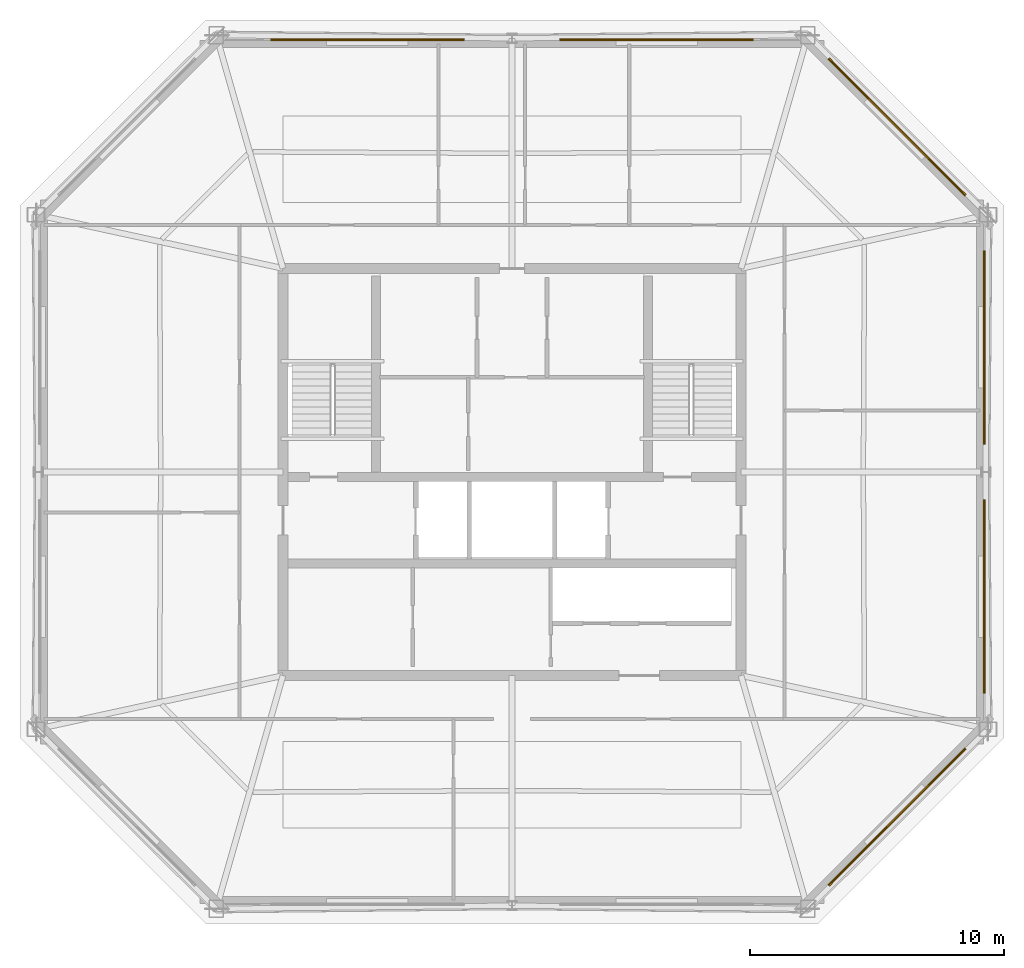
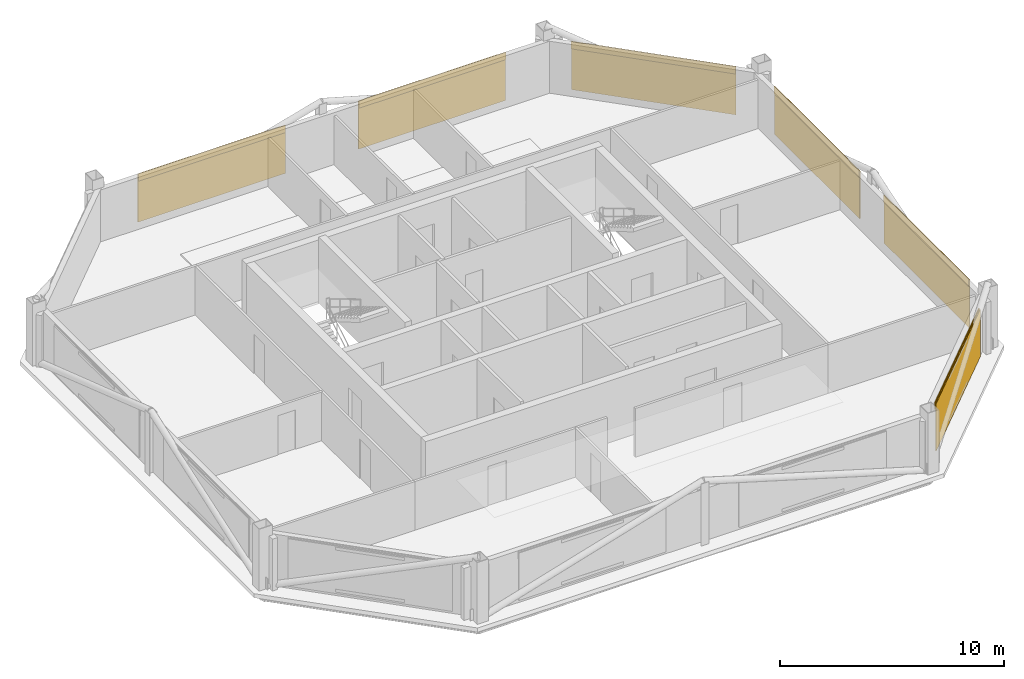
# One storey, part 6 of 6: 6 coverings, 6 shading devices.
"""IFC4 building model written with IfcOpenShell, lengths in metres."""

from ifc_helpers import new_model, si_unit, direction, frame, origin, origin_2d, place, context, subcontext, project, spatial, rectangle, extrude, material, layer, layer_set, type_object, element, save


model = new_model("IFC4")

# Units and contexts
model_context = context("Model", 3, precision=1e-05, world=origin(), true_north=direction((0.0, 1.0)))
body_context = subcontext(model_context, "Body", "Model", "MODEL_VIEW")
ifc_project = project(units=[si_unit("LENGTHUNIT", "METRE"), si_unit("AREAUNIT", "SQUARE_METRE"), si_unit("VOLUMEUNIT", "CUBIC_METRE"), si_unit("PLANEANGLEUNIT", "RADIAN"), si_unit("MASSUNIT", "GRAM", prefix="KILO")], contexts=[model_context])

# Site, building, storey
site_placement = place(None, origin())
site = spatial("IfcSite", under=ifc_project, at=site_placement, CompositionType="ELEMENT")
building_placement = place(site_placement, origin())
building = spatial("IfcBuilding", under=site, at=building_placement, Name="Caelvoria Tower", CompositionType="ELEMENT")
storey_placement = place(building_placement, frame((0.0, 0.0, 250.199951171875)))
storey = spatial("IfcBuildingStorey", under=building, at=storey_placement, Name="L66", CompositionType="ELEMENT", Elevation=250.199951171875)

# Coverings
ifc_material_1 = material(Name="Perforated Architectural Bronze Cladding Screen", Category="bronze")
ifc_layer_1 = layer(ifc_material_1, 0.0400390625, Name="Perforated Architectural Bronze Cladding Screen")
ifc_layer_set_1 = layer_set([ifc_layer_1], Name="Perforated Bronze Louvre Cladding Band 40 - Perforated Architectural Bronze Cladding Screen")
covering_type = type_object("IfcCoveringType", Name="Perforated Bronze Louvre Cladding Band 40", PredefinedType="CLADDING", material=ifc_layer_set_1)
for number, where, z_axis, x_axis, name in (
    (1, (61.119384765625, 18.45361328125, 2.412109375), (0.0, 0.0, 1.0), (0.707106781187, 0.707106781187, 0.0), "Perforated Bronze Screen Band L66-E1-00"),
    (2, (64.541015625, 27.102783203125, 2.412109375), (0.0, 0.0, 1.0), (0.0, 1.0, 0.0), "Perforated Bronze Screen Band L66-E2-00"),
    (3, (64.541015625, 36.897216796875, 2.412109375), (0.0, 0.0, 1.0), (0.0, 1.0, 0.0), "Perforated Bronze Screen Band L66-E2-01"),
    (4, (61.119384765625, 45.54638671875, 2.412109375), (0.0, 0.0, 1.0), (-0.707106781187, 0.707106781187, 0.0), "Perforated Bronze Screen Band L66-E3-00"),
    (5, (51.68359375, 48.968017578125, 2.412109375), (0.0, 0.0, 1.0), (-1.0, 0.0, 0.0), "Perforated Bronze Screen Band L66-E4-00"),
    (6, (40.31640625, 48.968017578125, 2.412109375), (0.0, 0.0, 1.0), (-1.0, 0.0, 0.0), "Perforated Bronze Screen Band L66-E4-01"),
):
    element("IfcCovering", number, at=place(storey_placement, frame(where, z_axis=z_axis, x_axis=x_axis)), inside=storey, type_object=covering_type, Name=name, PredefinedType="CLADDING", context=body_context, shape_type="SweptSolid", body=[
        extrude(rectangle(XDim=7.60009765625, YDim=0.0400390625, at=origin_2d()), origin(), (0.0, 0.0, 1.0), 0.39990234375),
    ])

# Shading devices
ifc_material_2 = material(Name="Perforated Architectural Bronze Alloy Panel", Category="bronze")
ifc_layer_2 = layer(ifc_material_2, 0.044921875, Name="Perforated Architectural Bronze Alloy Panel")
ifc_layer_set_2 = layer_set([ifc_layer_2], Name="Perforated Bronze Solar Screen Panel SCREEN - Perforated Architectural Bronze Alloy Panel")
shading_device_type = type_object("IfcShadingDeviceType", Name="Perforated Bronze Solar Screen Panel SCREEN", PredefinedType="USERDEFINED", material=ifc_layer_set_2)
for number, where, z_axis, x_axis, name in (
    (7, (61.149658203125, 18.423095703125, 0.16015625), (0.0, 0.0, 1.0), (0.707106781187, 0.707106781187, 0.0), "Perforated Bronze Solar Screen L66-E1-00"),
    (8, (64.583984375, 27.102783203125, 0.16015625), (0.0, 0.0, 1.0), (0.0, 1.0, 0.0), "Perforated Bronze Solar Screen L66-E2-00"),
    (9, (64.583984375, 36.897216796875, 0.16015625), (0.0, 0.0, 1.0), (0.0, 1.0, 0.0), "Perforated Bronze Solar Screen L66-E2-01"),
    (10, (61.149658203125, 45.576904296875, 0.16015625), (0.0, 0.0, 1.0), (-0.707106781187, 0.707106781187, 0.0), "Perforated Bronze Solar Screen L66-E3-00"),
    (11, (51.68359375, 49.010986328125, 0.16015625), (0.0, 0.0, 1.0), (-1.0, 0.0, 0.0), "Perforated Bronze Solar Screen L66-E4-00"),
    (12, (40.31640625, 49.010986328125, 0.16015625), (0.0, 0.0, 1.0), (-1.0, 0.0, 0.0), "Perforated Bronze Solar Screen L66-E4-01"),
):
    element("IfcShadingDevice", number, at=place(storey_placement, frame(where, z_axis=z_axis, x_axis=x_axis)), inside=storey, type_object=shading_device_type, Name=name, ObjectType="SCREEN", PredefinedType="USERDEFINED", context=body_context, shape_type="SweptSolid", body=[
        extrude(rectangle(XDim=7.60009765625, YDim=0.044921875, at=origin_2d()), origin(), (0.0, 0.0, 1.0), 2.592041015625),
    ])

save(model, "model.ifc")
